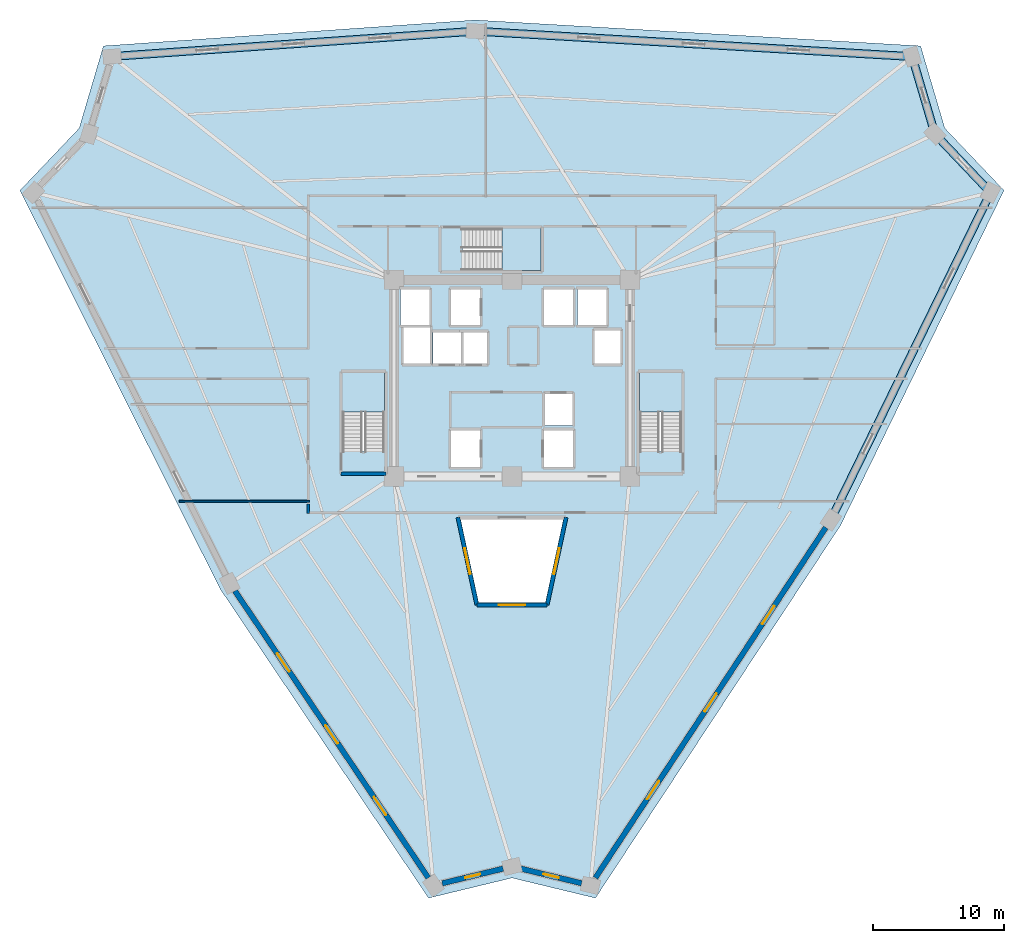
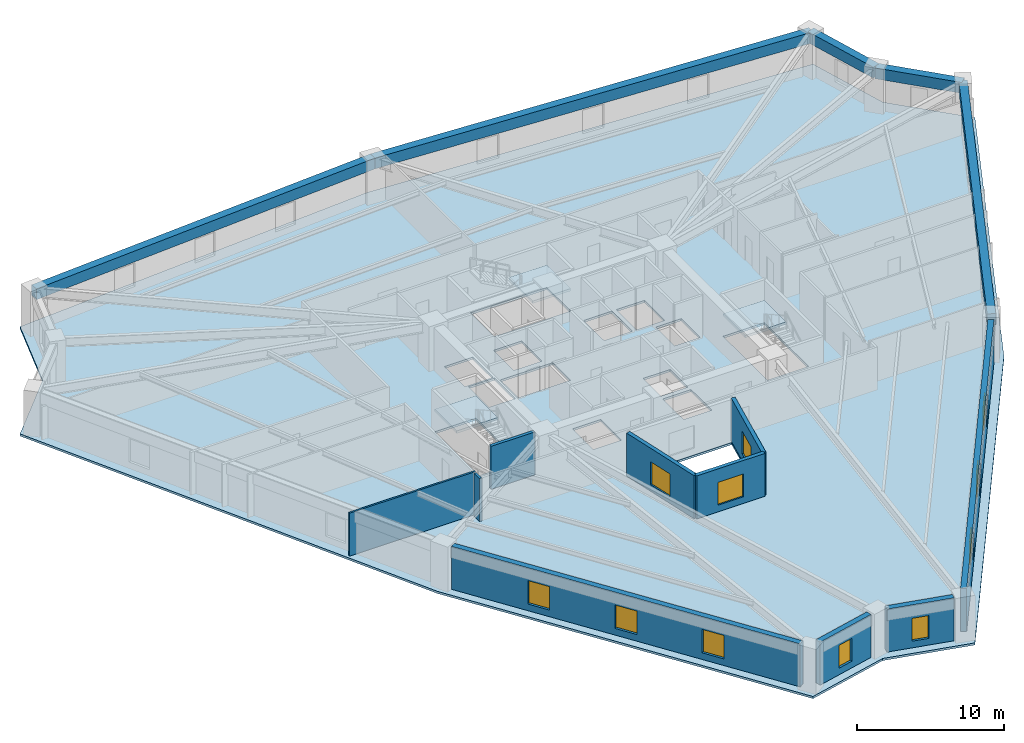
# One storey, part 2 of 7: 11 windows, 10 walls, 5 beams, 4 slabs, 11 openings, 3 elements without a shape of their own.
"""IFC4 building model written with IfcOpenShell, lengths in metres."""

from ifc_helpers import new_model, si_unit, direction, frame, frame_2d, origin, origin_2d, place, context, subcontext, project, spatial, polyline, rectangle, outline, extrude, source, transform, mapped, material, layer, layer_set, material_profile, profile_set, type_object, element, fill, aggregate, save


model = new_model("IFC4")

# Units and contexts
model_context = context("Model", 3, precision=1e-05, world=origin(), true_north=direction((0.0, 1.0)))
body_context = subcontext(model_context, "Body", "Model", "MODEL_VIEW")
ifc_project = project(units=[si_unit("LENGTHUNIT", "METRE"), si_unit("AREAUNIT", "SQUARE_METRE"), si_unit("VOLUMEUNIT", "CUBIC_METRE"), si_unit("PLANEANGLEUNIT", "RADIAN"), si_unit("MASSUNIT", "GRAM", prefix="KILO")], contexts=[model_context])

# Site, building, storey
site_placement = place(None, origin())
site = spatial("IfcSite", under=ifc_project, at=site_placement, CompositionType="ELEMENT")
building_placement = place(site_placement, origin())
building = spatial("IfcBuilding", under=site, at=building_placement, Name="Liaohun Quay Tower", CompositionType="ELEMENT")
storey_placement = place(building_placement, frame((0.0, 0.0, 117.0)))
storey = spatial("IfcBuildingStorey", under=building, at=storey_placement, Name="L30", CompositionType="ELEMENT", Elevation=117.0)

# Beams
ifc_material_1 = material(Name="Precast concrete C55", Category="concrete")
ifc_material_profile = material_profile(ifc_material_1, rectangle(XDim=0.60009765625, YDim=0.89990234375, at=origin_2d()), Name="RC600x900")
ifc_profile_set = profile_set([ifc_material_profile], Name="Precast concrete C55")
beam_type = type_object("IfcBeamType", Name="BM-SPD-Z2", PredefinedType="SPANDREL", material=ifc_profile_set)
shared_shape_1 = source(origin(), body_context, "Body", "SweptSolid", [
    extrude(rectangle(XDim=0.60009765625, YDim=0.89990234375, at=origin_2d()), origin(), (0.0, 0.0, 1.0), 27.793212890625),
])
beam_1_placement = place(storey_placement, frame((29.472900390625, 78.54296875, 3.1201171875), z_axis=(0.997580714148, 0.069517758588, 0.0), x_axis=(-0.069517758588, 0.997580714148, 0.0)))
element("IfcBeam", 1, at=beam_1_placement, inside=storey, type_object=beam_type, Name="L30 Precast Spandrel Beam PC05-PC06", PredefinedType="SPANDREL", context=body_context, shape_type="MappedRepresentation", body=[
    mapped(shared_shape_1, transform((0.0, 0.0, 0.0), x_axis=(1.0, 0.0, 0.0), y_axis=(0.0, 1.0, 0.0), z_axis=(0.0, 0.0, 1.0), scale=1.0)),
])
shared_shape_2 = source(origin(), body_context, "Body", "SweptSolid", [
    extrude(rectangle(XDim=0.60009765625, YDim=0.89990234375, at=origin_2d()), origin(), (0.0, 0.0, 1.0), 33.386474609375),
])
beam_2_placement = place(storey_placement, frame((57.198974609375, 80.47509765625, 3.1201171875), z_axis=(0.99831171537, -0.058083723668, 0.0), x_axis=(0.058083723668, 0.99831171537, 0.0)))
element("IfcBeam", 2, at=beam_2_placement, inside=storey, type_object=beam_type, Name="L30 Precast Spandrel Beam PC06-PC07", PredefinedType="SPANDREL", context=body_context, shape_type="MappedRepresentation", body=[
    mapped(shared_shape_2, transform((0.0, 0.0, 0.0), x_axis=(1.0, 0.0, 0.0), y_axis=(0.0, 1.0, 0.0), z_axis=(0.0, 0.0, 1.0), scale=1.0)),
])
shared_shape_3 = source(origin(), body_context, "Body", "SweptSolid", [
    extrude(rectangle(XDim=0.60009765625, YDim=0.89990234375, at=origin_2d()), origin(), (0.0, 0.0, 1.0), 6.15576171875),
])
beam_3_placement = place(storey_placement, frame((90.529052734375, 78.535888671875, 3.1201171875), z_axis=(0.282657997194, -0.959220754895, 0.0), x_axis=(0.959220754895, 0.282657997194, 0.0)))
element("IfcBeam", 3, at=beam_3_placement, inside=storey, type_object=beam_type, Name="L30 Precast Spandrel Beam PC07-PC08", PredefinedType="SPANDREL", context=body_context, shape_type="MappedRepresentation", body=[
    mapped(shared_shape_3, transform((0.0, 0.0, 0.0), x_axis=(1.0, 0.0, 0.0), y_axis=(0.0, 1.0, 0.0), z_axis=(0.0, 0.0, 1.0), scale=1.0)),
])
shared_shape_4 = source(origin(), body_context, "Body", "SweptSolid", [
    extrude(rectangle(XDim=0.60009765625, YDim=0.89990234375, at=origin_2d()), origin(), (0.0, 0.0, 1.0), 6.164306640625),
])
beam_4_placement = place(storey_placement, frame((92.26904296875, 72.631103515625, 3.1201171875), z_axis=(0.689283238338, -0.724491971899, 0.0), x_axis=(0.724491971899, 0.689283238338, 0.0)))
element("IfcBeam", 4, at=beam_4_placement, inside=storey, type_object=beam_type, Name="L30 Precast Spandrel Beam PC08-PC09", PredefinedType="SPANDREL", context=body_context, shape_type="MappedRepresentation", body=[
    mapped(shared_shape_4, transform((0.0, 0.0, 0.0), x_axis=(1.0, 0.0, 0.0), y_axis=(0.0, 1.0, 0.0), z_axis=(0.0, 0.0, 1.0), scale=1.0)),
])
shared_shape_5 = source(origin(), body_context, "Body", "SweptSolid", [
    extrude(rectangle(XDim=0.60009765625, YDim=0.89990234375, at=origin_2d()), origin(), (0.0, 0.0, 1.0), 27.79248046875),
])
beam_5_placement = place(storey_placement, frame((96.51806640625, 68.1650390625, 3.1201171875), z_axis=(-0.438570044157, -0.898697010326, 0.0), x_axis=(0.898697010326, -0.438570044157, 0.0)))
element("IfcBeam", 5, at=beam_5_placement, inside=storey, type_object=beam_type, Name="L30 Precast Spandrel Beam PC09-PC10", PredefinedType="SPANDREL", context=body_context, shape_type="MappedRepresentation", body=[
    mapped(shared_shape_5, transform((0.0, 0.0, 0.0), x_axis=(1.0, 0.0, 0.0), y_axis=(0.0, 1.0, 0.0), z_axis=(0.0, 0.0, 1.0), scale=1.0)),
])

# Stair, slab
ifc_material_2 = material(Name="Concrete C45", Category="concrete")
stair_type = type_object("IfcStairType", Name="STR-CORE-OFF", PredefinedType="HALF_TURN_STAIR", material=ifc_material_2)
stair_1_placement = place(storey_placement, origin())
stair_1 = element("IfcStair", 6, at=stair_1_placement, inside=storey, type_object=stair_type, Name="L30 Smokeproof Core Exit Stair ST-1", PredefinedType="HALF_TURN_STAIR")
ifc_layer_1 = layer(ifc_material_2, 0.199951171875, Name="Concrete C45", Category="concrete")
ifc_layer_set_1 = layer_set([ifc_layer_1], Name="Concrete C45")
slab_type_1 = type_object("IfcSlabType", Name="SLB-LND-200", PredefinedType="LANDING", material=ifc_layer_set_1)
slab_1_placement = place(storey_placement, frame((0.0, 0.0, 1.675048828125)))
slab_1 = element("IfcSlab", 7, at=slab_1_placement, type_object=slab_type_1, Name="ST-1 landing 1", PredefinedType="LANDING", context=body_context, shape_type="SweptSolid", body=[
    extrude(outline(polyline([(50.280029296875, 51.429931640625), (50.280029296875, 54.419921875), (47.0400390625, 54.419921875), (47.0400390625, 51.429931640625), (50.280029296875, 51.429931640625)])), origin(), (0.0, 0.0, 1.0), 0.199951171875),
])
aggregate(stair_1, [slab_1])

stair_2_placement = place(storey_placement, origin())
stair_2 = element("IfcStair", 8, at=stair_2_placement, inside=storey, type_object=stair_type, Name="L30 Smokeproof Core Exit Stair ST-2", PredefinedType="HALF_TURN_STAIR")
slab_2_placement = place(storey_placement, frame((0.0, 0.0, 1.675048828125)))
slab_2 = element("IfcSlab", 9, at=slab_2_placement, type_object=slab_type_1, Name="ST-2 landing 1", PredefinedType="LANDING", context=body_context, shape_type="SweptSolid", body=[
    extrude(outline(polyline([(72.9599609375, 51.429931640625), (72.9599609375, 54.419921875), (69.719970703125, 54.419921875), (69.719970703125, 51.429931640625), (72.9599609375, 51.429931640625)])), origin(), (0.0, 0.0, 1.0), 0.199951171875),
])
aggregate(stair_2, [slab_2])

stair_3_placement = place(storey_placement, origin())
stair_3 = element("IfcStair", 10, at=stair_3_placement, inside=storey, type_object=stair_type, Name="L30 Smokeproof Core Exit Stair ST-3", PredefinedType="HALF_TURN_STAIR")
slab_3_placement = place(storey_placement, frame((0.0, 0.0, 1.675048828125)))
slab_3 = element("IfcSlab", 11, at=slab_3_placement, type_object=slab_type_1, Name="ST-3 landing 1", PredefinedType="LANDING", context=body_context, shape_type="SweptSolid", body=[
    extrude(outline(polyline([(59.22998046875, 62.199951171875), (62.219970703125, 62.199951171875), (62.219970703125, 65.43994140625), (59.22998046875, 65.43994140625), (59.22998046875, 62.199951171875)])), origin(), (0.0, 0.0, 1.0), 0.199951171875),
])
aggregate(stair_3, [slab_3])

# Slab
ifc_layer_2 = layer(ifc_material_2, 0.179931640625, Name="Concrete C45", Category="concrete")
ifc_layer_set_2 = layer_set([ifc_layer_2], Name="Concrete C45")
slab_type_2 = type_object("IfcSlabType", Name="SLB-OFF-180", PredefinedType="FLOOR", material=ifc_layer_set_2)
slab_4_placement = place(storey_placement, frame((0.0, 0.0, -0.179931640625)))
element("IfcSlab", 12, at=slab_4_placement, inside=storey, type_object=slab_type_2, Name="L30 Structural Floor Slab", PredefinedType="FLOOR", context=body_context, shape_type="SweptSolid", body=[
    extrude(outline(polyline([(53.633056640625, 14.326904296875), (60.0, 15.864013671875), (66.366943359375, 14.326904296875), (85.069091796875, 42.76611328125), (97.541015625, 68.322998046875), (93.02587890625, 73.068115234375), (91.175048828125, 79.35009765625), (57.194091796875, 81.326904296875), (28.824951171875, 79.35009765625), (26.97412109375, 73.068115234375), (22.458984375, 68.322998046875), (37.737060546875, 37.906982421875), (53.633056640625, 14.326904296875)]), holes=[polyline([(57.56005859375, 50.030029296875), (55.340087890625, 50.030029296875), (55.340087890625, 47.2099609375), (57.56005859375, 47.2099609375), (57.56005859375, 50.030029296875)]), polyline([(50.280029296875, 54.419921875), (47.0400390625, 54.419921875), (47.0400390625, 48.409912109375), (50.280029296875, 48.409912109375), (50.280029296875, 54.419921875)]), polyline([(53.989990234375, 55.090087890625), (58.110107421875, 55.090087890625), (58.110107421875, 57.510009765625), (53.989990234375, 57.510009765625), (53.989990234375, 55.090087890625)]), polyline([(53.760009765625, 55.090087890625), (53.760009765625, 57.909912109375), (51.7099609375, 57.909912109375), (51.7099609375, 55.090087890625), (53.760009765625, 55.090087890625)]), polyline([(53.7099609375, 58.0400390625), (53.7099609375, 60.7900390625), (51.489990234375, 60.7900390625), (51.489990234375, 58.0400390625), (53.7099609375, 58.0400390625)]), polyline([(57.56005859375, 58.0400390625), (57.56005859375, 60.7900390625), (55.340087890625, 60.7900390625), (55.340087890625, 58.0400390625), (57.56005859375, 58.0400390625)]), polyline([(62.219970703125, 62.199951171875), (62.219970703125, 65.43994140625), (56.2099609375, 65.43994140625), (56.2099609375, 62.199951171875), (62.219970703125, 62.199951171875)]), polyline([(62.5439453125, 36.862060546875), (63.9140625, 43.199951171875), (56.0859375, 43.199951171875), (57.4560546875, 36.862060546875), (62.5439453125, 36.862060546875)]), polyline([(64.659912109375, 47.2099609375), (64.659912109375, 50.030029296875), (62.43994140625, 50.030029296875), (62.43994140625, 47.2099609375), (64.659912109375, 47.2099609375)]), polyline([(72.9599609375, 54.419921875), (69.719970703125, 54.419921875), (69.719970703125, 48.409912109375), (72.9599609375, 48.409912109375), (72.9599609375, 54.419921875)]), polyline([(64.610107421875, 50.389892578125), (64.610107421875, 52.81005859375), (62.489990234375, 52.81005859375), (62.489990234375, 50.389892578125), (64.610107421875, 50.389892578125)]), polyline([(68.2900390625, 55.090087890625), (68.2900390625, 57.659912109375), (66.2900390625, 57.659912109375), (66.2900390625, 55.090087890625), (68.2900390625, 55.090087890625)]), polyline([(64.659912109375, 58.0400390625), (64.659912109375, 60.7900390625), (62.43994140625, 60.7900390625), (62.43994140625, 58.0400390625), (64.659912109375, 58.0400390625)]), polyline([(67.2099609375, 58.0400390625), (67.2099609375, 60.7900390625), (64.989990234375, 60.7900390625), (64.989990234375, 58.0400390625), (67.2099609375, 58.0400390625)])]), origin(), (0.0, 0.0, 1.0), 0.179931640625),
])

# Wall, opening, window
ifc_material_3 = material(Name="Concrete C50", Category="concrete")
ifc_layer_3 = layer(ifc_material_3, 0.300048828125, Name="Concrete C50", Category="concrete")
ifc_layer_set_3 = layer_set([ifc_layer_3], Name="Concrete C50")
wall_type_1 = type_object("IfcWallType", Name="WAL-ATR-300", PredefinedType="SOLIDWALL", material=ifc_layer_set_3)
wall_1_placement = place(storey_placement, frame((57.319091796875, 36.69189453125, 0.0), z_axis=(0.0, 0.0, 1.0), x_axis=(-0.211354012172, 0.977409577168, 0.0)))
wall_1 = element("IfcWall", 13, at=wall_1_placement, inside=storey, type_object=wall_type_1, Name="L30 Atrium Fire Compartment Wall 1", PredefinedType="SOLIDWALL", context=body_context, shape_type="SweptSolid", body=[
    extrude(rectangle(XDim=6.83251953125, YDim=0.300048828125, at=frame_2d((3.416259765625, 0.0))), origin(), (0.0, 0.0, 1.0), 3.570068359375),
])
shared_shape_6 = source(origin(), body_context, "Body", "SweptSolid", [
    extrude(rectangle(XDim=2.0, YDim=1.89990234375, at=frame_2d((1.0, 0.949951171875))), frame((0.0, 0.159912109375, 0.0), z_axis=(0.0, -1.0, 0.0), x_axis=(1.0, 0.0, 0.0)), (0.0, 0.0, 1.0), 0.320068359375),
])
opening_1_placement = place(wall_1_placement, frame((2.416015625, 0.0, 0.550048828125)))
opening_1 = element("IfcOpeningElement", 14, at=opening_1_placement, cuts=wall_1, Name="Opening W07", PredefinedType="OPENING", context=body_context, shape_type="MappedRepresentation", body=[
    mapped(shared_shape_6, transform((0.0, 0.0, 0.0), x_axis=(1.0, 0.0, 0.0), y_axis=(0.0, 1.0, 0.0), z_axis=(0.0, 0.0, 1.0), scale=1.0)),
])
ifc_material_4 = material(Name="Class A 180-min fire-resistant insulated glazing", Category="glass")
window_type_1 = type_object("IfcWindowType", Name="WIN-ATR-FIR", PartitioningType="DOUBLE_PANEL_VERTICAL", PredefinedType="WINDOW", material=ifc_material_4)
shared_shape_7 = source(origin(), body_context, "Body", "SweptSolid", [
    extrude(rectangle(XDim=2.0, YDim=1.89990234375, at=frame_2d((1.0, 0.949951171875))), frame((0.0, 0.030029296875, 0.0), z_axis=(0.0, -1.0, 0.0), x_axis=(1.0, 0.0, 0.0)), (0.0, 0.0, 1.0), 0.06005859375),
])
window_1_placement = place(opening_1_placement, origin())
window_1 = element("IfcWindow", 15, at=window_1_placement, inside=storey, type_object=window_type_1, Name="L30 Atrium Fire-Resistant Glazing W07-1", OverallHeight=1.89990234375, OverallWidth=2.0, PartitioningType="DOUBLE_PANEL_VERTICAL", PredefinedType="WINDOW", context=body_context, shape_type="MappedRepresentation", body=[
    mapped(shared_shape_7, transform((0.0, 0.0, 0.0), x_axis=(1.0, 0.0, 0.0), y_axis=(0.0, 1.0, 0.0), z_axis=(0.0, 0.0, 1.0), scale=1.0)),
])
fill(opening_1, window_1)

wall_2_placement = place(storey_placement, frame((64.125, 43.3701171875, 0.0), z_axis=(0.0, 0.0, 1.0), x_axis=(-0.211354012172, -0.977409577168, 0.0)))
wall_2 = element("IfcWall", 16, at=wall_2_placement, inside=storey, type_object=wall_type_1, Name="L30 Atrium Fire Compartment Wall 3", PredefinedType="SOLIDWALL", context=body_context, shape_type="SweptSolid", body=[
    extrude(rectangle(XDim=6.83251953125, YDim=0.300048828125, at=frame_2d((3.416259765625, 0.0))), origin(), (0.0, 0.0, 1.0), 3.570068359375),
])
opening_2_placement = place(wall_2_placement, frame((2.416015625, 0.0, 0.550048828125)))
opening_2 = element("IfcOpeningElement", 17, at=opening_2_placement, cuts=wall_2, Name="Opening W07", PredefinedType="OPENING", context=body_context, shape_type="MappedRepresentation", body=[
    mapped(shared_shape_6, transform((0.0, 0.0, 0.0), x_axis=(1.0, 0.0, 0.0), y_axis=(0.0, 1.0, 0.0), z_axis=(0.0, 0.0, 1.0), scale=1.0)),
])
window_2_placement = place(opening_2_placement, origin())
window_2 = element("IfcWindow", 18, at=window_2_placement, inside=storey, type_object=window_type_1, Name="L30 Atrium Fire-Resistant Glazing W07-3", OverallHeight=1.89990234375, OverallWidth=2.0, PartitioningType="DOUBLE_PANEL_VERTICAL", PredefinedType="WINDOW", context=body_context, shape_type="MappedRepresentation", body=[
    mapped(shared_shape_7, transform((0.0, 0.0, 0.0), x_axis=(1.0, 0.0, 0.0), y_axis=(0.0, 1.0, 0.0), z_axis=(0.0, 0.0, 1.0), scale=1.0)),
])
fill(opening_2, window_2)

wall_3_placement = place(storey_placement, frame((62.680908203125, 36.69189453125, 0.0), z_axis=(0.0, 0.0, 1.0), x_axis=(-1.0, 0.0, 0.0)))
wall_3 = element("IfcWall", 19, at=wall_3_placement, inside=storey, type_object=wall_type_1, Name="L30 Atrium Fire Compartment Wall 4", PredefinedType="SOLIDWALL", context=body_context, shape_type="SweptSolid", body=[
    extrude(rectangle(XDim=5.36181640625, YDim=0.300048828125, at=frame_2d((2.680908203125, 0.0))), origin(), (0.0, 0.0, 1.0), 3.570068359375),
])
opening_3_placement = place(wall_3_placement, frame((1.680908203125, 0.0, 0.550048828125)))
opening_3 = element("IfcOpeningElement", 20, at=opening_3_placement, cuts=wall_3, Name="Opening W07", PredefinedType="OPENING", context=body_context, shape_type="MappedRepresentation", body=[
    mapped(shared_shape_6, transform((0.0, 0.0, 0.0), x_axis=(1.0, 0.0, 0.0), y_axis=(0.0, 1.0, 0.0), z_axis=(0.0, 0.0, 1.0), scale=1.0)),
])
window_3_placement = place(opening_3_placement, origin())
window_3 = element("IfcWindow", 21, at=window_3_placement, inside=storey, type_object=window_type_1, Name="L30 Atrium Fire-Resistant Glazing W07-4", OverallHeight=1.89990234375, OverallWidth=2.0, PartitioningType="DOUBLE_PANEL_VERTICAL", PredefinedType="WINDOW", context=body_context, shape_type="MappedRepresentation", body=[
    mapped(shared_shape_7, transform((0.0, 0.0, 0.0), x_axis=(1.0, 0.0, 0.0), y_axis=(0.0, 1.0, 0.0), z_axis=(0.0, 0.0, 1.0), scale=1.0)),
])
fill(opening_3, window_3)

ifc_material_5 = material(Name="Precast concrete C50 insulated sandwich", Category="concrete")
ifc_layer_4 = layer(ifc_material_5, 0.419921875, Name="Precast concrete C50 insulated sandwich", Category="concrete")
ifc_layer_set_4 = layer_set([ifc_layer_4], Name="Precast concrete C50 insulated sandwich")
wall_type_2 = type_object("IfcWallType", Name="WAL-EXT-Z12", PredefinedType="SOLIDWALL", material=ifc_layer_set_4)
wall_4_placement = place(storey_placement, frame((60.6708984375, 16.575927734375, 0.0), z_axis=(0.0, 0.0, 1.0), x_axis=(0.972123603118, -0.23446897505, 0.0)))
wall_4 = element("IfcWall", 22, at=wall_4_placement, inside=storey, type_object=wall_type_2, Name="L30 Brutalist Precast Pier Wall 01", PredefinedType="SOLIDWALL", context=body_context, shape_type="SweptSolid", body=[
    extrude(rectangle(XDim=4.776123046875, YDim=0.419921875, at=frame_2d((2.38818359375, 0.0))), origin(), (0.0, 0.0, 1.0), 3.570068359375),
])
shared_shape_8 = source(origin(), body_context, "Body", "SweptSolid", [
    extrude(rectangle(XDim=1.199951171875, YDim=1.89990234375, at=frame_2d((0.60009765625, 0.949951171875))), frame((0.0, 0.219970703125, 0.0), z_axis=(0.0, -1.0, 0.0), x_axis=(1.0, 0.0, 0.0)), (0.0, 0.0, 1.0), 0.43994140625),
])
opening_4_placement = place(wall_4_placement, frame((1.7880859375, 0.0, 0.550048828125)))
opening_4 = element("IfcOpeningElement", 23, at=opening_4_placement, cuts=wall_4, Name="Opening W05", PredefinedType="OPENING", context=body_context, shape_type="MappedRepresentation", body=[
    mapped(shared_shape_8, transform((0.0, 0.0, 0.0), x_axis=(1.0, 0.0, 0.0), y_axis=(0.0, 1.0, 0.0), z_axis=(0.0, 0.0, 1.0), scale=1.0)),
])
ifc_material_6 = material(Name="Triple Low-E corner notch glazing", Category="glass")
window_type_2 = type_object("IfcWindowType", Name="WIN-NOTCH", PartitioningType="SINGLE_PANEL", PredefinedType="WINDOW", material=ifc_material_6)
shared_shape_9 = source(origin(), body_context, "Body", "SweptSolid", [
    extrude(rectangle(XDim=1.199951171875, YDim=1.89990234375, at=frame_2d((0.60009765625, 0.949951171875))), frame((0.0, 0.030029296875, 0.0), z_axis=(0.0, -1.0, 0.0), x_axis=(1.0, 0.0, 0.0)), (0.0, 0.0, 1.0), 0.06005859375),
])
window_4_placement = place(opening_4_placement, origin())
window_4 = element("IfcWindow", 24, at=window_4_placement, inside=storey, type_object=window_type_2, Name="L30 Corner Notch Window W05-01", OverallHeight=1.89990234375, OverallWidth=1.199951171875, PartitioningType="SINGLE_PANEL", PredefinedType="WINDOW", context=body_context, shape_type="MappedRepresentation", body=[
    mapped(shared_shape_9, transform((0.0, 0.0, 0.0), x_axis=(1.0, 0.0, 0.0), y_axis=(0.0, 1.0, 0.0), z_axis=(0.0, 0.0, 1.0), scale=1.0)),
])
fill(opening_4, window_4)

# Wall, openings, windows
wall_5_placement = place(storey_placement, frame((66.364013671875, 15.87109375, 0.0), z_axis=(0.0, 0.0, 1.0), x_axis=(0.549482134423, 0.83550546614, 0.0)))
wall_5 = element("IfcWall", 25, at=wall_5_placement, inside=storey, type_object=wall_type_2, Name="L30 Brutalist Precast Pier Wall 02", PredefinedType="SOLIDWALL", context=body_context, shape_type="SweptSolid", body=[
    extrude(rectangle(XDim=32.004638671875, YDim=0.419921875, at=frame_2d((16.00244140625, 0.0))), origin(), (0.0, 0.0, 1.0), 3.570068359375),
])
shared_shape_10 = source(origin(), body_context, "Body", "SweptSolid", [
    extrude(rectangle(XDim=1.64990234375, YDim=1.949951171875, at=frame_2d((0.824951171875, 0.97509765625))), frame((0.0, 0.219970703125, 0.0), z_axis=(0.0, -1.0, 0.0), x_axis=(1.0, 0.0, 0.0)), (0.0, 0.0, 1.0), 0.43994140625),
])
opening_5_placement = place(wall_5_placement, frame((7.176025390625, 0.0, 0.550048828125)))
opening_5 = element("IfcOpeningElement", 26, at=opening_5_placement, cuts=wall_5, Name="Opening W02", PredefinedType="OPENING", context=body_context, shape_type="MappedRepresentation", body=[
    mapped(shared_shape_10, transform((0.0, 0.0, 0.0), x_axis=(1.0, 0.0, 0.0), y_axis=(0.0, 1.0, 0.0), z_axis=(0.0, 0.0, 1.0), scale=1.0)),
])
opening_6_placement = place(wall_5_placement, frame((15.177001953125, 0.0, 0.550048828125)))
opening_6 = element("IfcOpeningElement", 27, at=opening_6_placement, cuts=wall_5, Name="Opening W02", PredefinedType="OPENING", context=body_context, shape_type="MappedRepresentation", body=[
    mapped(shared_shape_10, transform((0.0, 0.0, 0.0), x_axis=(1.0, 0.0, 0.0), y_axis=(0.0, 1.0, 0.0), z_axis=(0.0, 0.0, 1.0), scale=1.0)),
])
opening_7_placement = place(wall_5_placement, frame((23.177978515625, 0.0, 0.550048828125)))
opening_7 = element("IfcOpeningElement", 28, at=opening_7_placement, cuts=wall_5, Name="Opening W02", PredefinedType="OPENING", context=body_context, shape_type="MappedRepresentation", body=[
    mapped(shared_shape_10, transform((0.0, 0.0, 0.0), x_axis=(1.0, 0.0, 0.0), y_axis=(0.0, 1.0, 0.0), z_axis=(0.0, 0.0, 1.0), scale=1.0)),
])
ifc_material_7 = material(Name="Triple Low-E argon glazing in thermally broken aluminium", Category="aluminium")
window_type_3 = type_object("IfcWindowType", Name="WIN-PUN-Z2", PartitioningType="DOUBLE_PANEL_VERTICAL", PredefinedType="WINDOW", material=ifc_material_7)
shared_shape_11 = source(origin(), body_context, "Body", "SweptSolid", [
    extrude(rectangle(XDim=1.64990234375, YDim=1.949951171875, at=frame_2d((0.824951171875, 0.97509765625))), frame((0.0, 0.030029296875, 0.0), z_axis=(0.0, -1.0, 0.0), x_axis=(1.0, 0.0, 0.0)), (0.0, 0.0, 1.0), 0.06005859375),
])
window_5_placement = place(opening_5_placement, origin())
window_5 = element("IfcWindow", 29, at=window_5_placement, inside=storey, type_object=window_type_3, Name="L30 Recessed Cold-Climate Punched Window 02-1", OverallHeight=1.949951171875, OverallWidth=1.64990234375, PartitioningType="DOUBLE_PANEL_VERTICAL", PredefinedType="WINDOW", context=body_context, shape_type="MappedRepresentation", body=[
    mapped(shared_shape_11, transform((0.0, 0.0, 0.0), x_axis=(1.0, 0.0, 0.0), y_axis=(0.0, 1.0, 0.0), z_axis=(0.0, 0.0, 1.0), scale=1.0)),
])
fill(opening_5, window_5)
window_6_placement = place(opening_6_placement, origin())
window_6 = element("IfcWindow", 30, at=window_6_placement, inside=storey, type_object=window_type_3, Name="L30 Recessed Cold-Climate Punched Window 02-2", OverallHeight=1.949951171875, OverallWidth=1.64990234375, PartitioningType="DOUBLE_PANEL_VERTICAL", PredefinedType="WINDOW", context=body_context, shape_type="MappedRepresentation", body=[
    mapped(shared_shape_11, transform((0.0, 0.0, 0.0), x_axis=(1.0, 0.0, 0.0), y_axis=(0.0, 1.0, 0.0), z_axis=(0.0, 0.0, 1.0), scale=1.0)),
])
fill(opening_6, window_6)
window_7_placement = place(opening_7_placement, origin())
window_7 = element("IfcWindow", 31, at=window_7_placement, inside=storey, type_object=window_type_3, Name="L30 Recessed Cold-Climate Punched Window 02-3", OverallHeight=1.949951171875, OverallWidth=1.64990234375, PartitioningType="DOUBLE_PANEL_VERTICAL", PredefinedType="WINDOW", context=body_context, shape_type="MappedRepresentation", body=[
    mapped(shared_shape_11, transform((0.0, 0.0, 0.0), x_axis=(1.0, 0.0, 0.0), y_axis=(0.0, 1.0, 0.0), z_axis=(0.0, 0.0, 1.0), scale=1.0)),
])
fill(opening_7, window_7)

wall_6_placement = place(storey_placement, frame((38.85791015625, 37.764892578125, 0.0), z_axis=(0.0, 0.0, 1.0), x_axis=(0.558980308559, -0.82918092998, 0.0)))
wall_6 = element("IfcWall", 32, at=wall_6_placement, inside=storey, type_object=wall_type_2, Name="L30 Brutalist Precast Pier Wall 11", PredefinedType="SOLIDWALL", context=body_context, shape_type="SweptSolid", body=[
    extrude(rectangle(XDim=26.41259765625, YDim=0.419921875, at=frame_2d((13.206298828125, 0.0))), origin(), (0.0, 0.0, 1.0), 3.570068359375),
])
opening_8_placement = place(wall_6_placement, frame((5.778076171875, 0.0, 0.550048828125)))
opening_8 = element("IfcOpeningElement", 33, at=opening_8_placement, cuts=wall_6, Name="Opening W02", PredefinedType="OPENING", context=body_context, shape_type="MappedRepresentation", body=[
    mapped(shared_shape_10, transform((0.0, 0.0, 0.0), x_axis=(1.0, 0.0, 0.0), y_axis=(0.0, 1.0, 0.0), z_axis=(0.0, 0.0, 1.0), scale=1.0)),
])
opening_9_placement = place(wall_6_placement, frame((12.381103515625, 0.0, 0.550048828125)))
opening_9 = element("IfcOpeningElement", 34, at=opening_9_placement, cuts=wall_6, Name="Opening W02", PredefinedType="OPENING", context=body_context, shape_type="MappedRepresentation", body=[
    mapped(shared_shape_10, transform((0.0, 0.0, 0.0), x_axis=(1.0, 0.0, 0.0), y_axis=(0.0, 1.0, 0.0), z_axis=(0.0, 0.0, 1.0), scale=1.0)),
])
opening_10_placement = place(wall_6_placement, frame((18.985107421875, 0.0, 0.550048828125)))
opening_10 = element("IfcOpeningElement", 35, at=opening_10_placement, cuts=wall_6, Name="Opening W02", PredefinedType="OPENING", context=body_context, shape_type="MappedRepresentation", body=[
    mapped(shared_shape_10, transform((0.0, 0.0, 0.0), x_axis=(1.0, 0.0, 0.0), y_axis=(0.0, 1.0, 0.0), z_axis=(0.0, 0.0, 1.0), scale=1.0)),
])
window_8_placement = place(opening_8_placement, origin())
window_8 = element("IfcWindow", 36, at=window_8_placement, inside=storey, type_object=window_type_3, Name="L30 Recessed Cold-Climate Punched Window 11-1", OverallHeight=1.949951171875, OverallWidth=1.64990234375, PartitioningType="DOUBLE_PANEL_VERTICAL", PredefinedType="WINDOW", context=body_context, shape_type="MappedRepresentation", body=[
    mapped(shared_shape_11, transform((0.0, 0.0, 0.0), x_axis=(1.0, 0.0, 0.0), y_axis=(0.0, 1.0, 0.0), z_axis=(0.0, 0.0, 1.0), scale=1.0)),
])
fill(opening_8, window_8)
window_9_placement = place(opening_9_placement, origin())
window_9 = element("IfcWindow", 37, at=window_9_placement, inside=storey, type_object=window_type_3, Name="L30 Recessed Cold-Climate Punched Window 11-2", OverallHeight=1.949951171875, OverallWidth=1.64990234375, PartitioningType="DOUBLE_PANEL_VERTICAL", PredefinedType="WINDOW", context=body_context, shape_type="MappedRepresentation", body=[
    mapped(shared_shape_11, transform((0.0, 0.0, 0.0), x_axis=(1.0, 0.0, 0.0), y_axis=(0.0, 1.0, 0.0), z_axis=(0.0, 0.0, 1.0), scale=1.0)),
])
fill(opening_9, window_9)
window_10_placement = place(opening_10_placement, origin())
window_10 = element("IfcWindow", 38, at=window_10_placement, inside=storey, type_object=window_type_3, Name="L30 Recessed Cold-Climate Punched Window 11-3", OverallHeight=1.949951171875, OverallWidth=1.64990234375, PartitioningType="DOUBLE_PANEL_VERTICAL", PredefinedType="WINDOW", context=body_context, shape_type="MappedRepresentation", body=[
    mapped(shared_shape_11, transform((0.0, 0.0, 0.0), x_axis=(1.0, 0.0, 0.0), y_axis=(0.0, 1.0, 0.0), z_axis=(0.0, 0.0, 1.0), scale=1.0)),
])
fill(opening_10, window_10)

# Wall, opening, window
wall_7_placement = place(storey_placement, frame((54.678955078125, 15.4541015625, 0.0), z_axis=(0.0, 0.0, 1.0), x_axis=(0.972111905775, 0.234517467687, 0.0)))
wall_7 = element("IfcWall", 39, at=wall_7_placement, inside=storey, type_object=wall_type_2, Name="L30 Brutalist Precast Pier Wall 12", PredefinedType="SOLIDWALL", context=body_context, shape_type="SweptSolid", body=[
    extrude(rectangle(XDim=4.783447265625, YDim=0.419921875, at=frame_2d((2.3916015625, 0.0))), origin(), (0.0, 0.0, 1.0), 3.570068359375),
])
opening_11_placement = place(wall_7_placement, frame((1.7919921875, 0.0, 0.550048828125)))
opening_11 = element("IfcOpeningElement", 40, at=opening_11_placement, cuts=wall_7, Name="Opening W05", PredefinedType="OPENING", context=body_context, shape_type="MappedRepresentation", body=[
    mapped(shared_shape_8, transform((0.0, 0.0, 0.0), x_axis=(1.0, 0.0, 0.0), y_axis=(0.0, 1.0, 0.0), z_axis=(0.0, 0.0, 1.0), scale=1.0)),
])
window_11_placement = place(opening_11_placement, origin())
window_11 = element("IfcWindow", 41, at=window_11_placement, inside=storey, type_object=window_type_2, Name="L30 Corner Notch Window W05-12", OverallHeight=1.89990234375, OverallWidth=1.199951171875, PartitioningType="SINGLE_PANEL", PredefinedType="WINDOW", context=body_context, shape_type="MappedRepresentation", body=[
    mapped(shared_shape_9, transform((0.0, 0.0, 0.0), x_axis=(1.0, 0.0, 0.0), y_axis=(0.0, 1.0, 0.0), z_axis=(0.0, 0.0, 1.0), scale=1.0)),
])
fill(opening_11, window_11)

# Walls
ifc_material_8 = material(Name="Autoclaved aerated concrete blockwork", Category="masonry")
ifc_layer_5 = layer(ifc_material_8, 0.179931640625, Name="Autoclaved aerated concrete blockwork", Category="masonry")
ifc_layer_set_5 = layer_set([ifc_layer_5], Name="Autoclaved aerated concrete blockwork")
wall_type_3 = type_object("IfcWallType", Name="WAL-PRT-COR", PredefinedType="PARTITIONING", material=ifc_layer_set_5)
wall_8_placement = place(storey_placement, frame((44.43994140625, 43.669921875, 0.0), z_axis=(0.0, 0.0, 1.0), x_axis=(0.0, 1.0, 0.0)))
element("IfcWall", 42, at=wall_8_placement, inside=storey, type_object=wall_type_3, Name="L30 Interior Partition Wall 034", PredefinedType="PARTITIONING", context=body_context, shape_type="SweptSolid", body=[
    extrude(rectangle(XDim=0.715087890625, YDim=0.179931640625, at=frame_2d((0.357421875, 0.0))), origin(), (0.0, 0.0, 1.0), 3.570068359375),
])
ifc_material_9 = material(Name="Gypsum board on twin steel studs", Category="steel")
ifc_layer_6 = layer(ifc_material_9, 0.139892578125, Name="Gypsum board on twin steel studs", Category="steel")
ifc_layer_set_6 = layer_set([ifc_layer_6], Name="Gypsum board on twin steel studs")
wall_type_4 = type_object("IfcWallType", Name="WAL-PRT-OFF", PredefinedType="PARTITIONING", material=ifc_layer_set_6)
wall_9_placement = place(storey_placement, frame((44.5400390625, 44.60009765625, 0.0), z_axis=(0.0, 0.0, 1.0), x_axis=(-1.0, 0.0, 0.0)))
element("IfcWall", 43, at=wall_9_placement, inside=storey, type_object=wall_type_4, Name="L30 Interior Partition Wall 037", PredefinedType="PARTITIONING", context=body_context, shape_type="SweptSolid", body=[
    extrude(rectangle(XDim=9.9189453125, YDim=0.139892578125, at=frame_2d((4.95947265625, 0.0))), origin(), (0.0, 0.0, 1.0), 3.570068359375),
])
ifc_layer_7 = layer(ifc_material_3, 0.239990234375, Name="Concrete C50", Category="concrete")
ifc_layer_set_7 = layer_set([ifc_layer_7], Name="Concrete C50")
wall_type_5 = type_object("IfcWallType", Name="WAL-SHF-200", PredefinedType="SOLIDWALL", material=ifc_layer_set_7)
wall_10_placement = place(storey_placement, frame((46.93994140625, 46.699951171875, 0.0), z_axis=(0.0, 0.0, 1.0), x_axis=(1.0, 0.0, 0.0)))
element("IfcWall", 44, at=wall_10_placement, inside=storey, type_object=wall_type_5, Name="L30 Stairwell ST-1 Structural Core Wall S", PredefinedType="SOLIDWALL", context=body_context, shape_type="SweptSolid", body=[
    extrude(rectangle(XDim=3.43994140625, YDim=0.239990234375, at=frame_2d((1.719970703125, 0.0))), origin(), (0.0, 0.0, 1.0), 3.570068359375),
])

save(model, "model.ifc")
